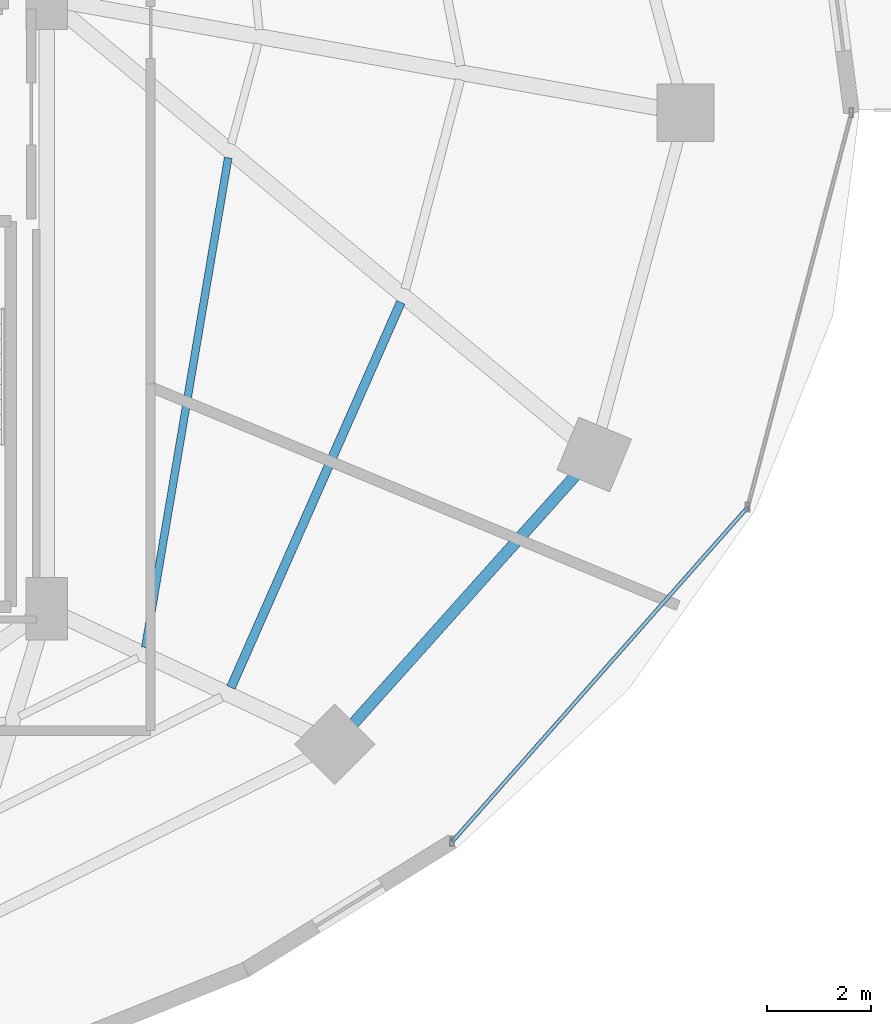
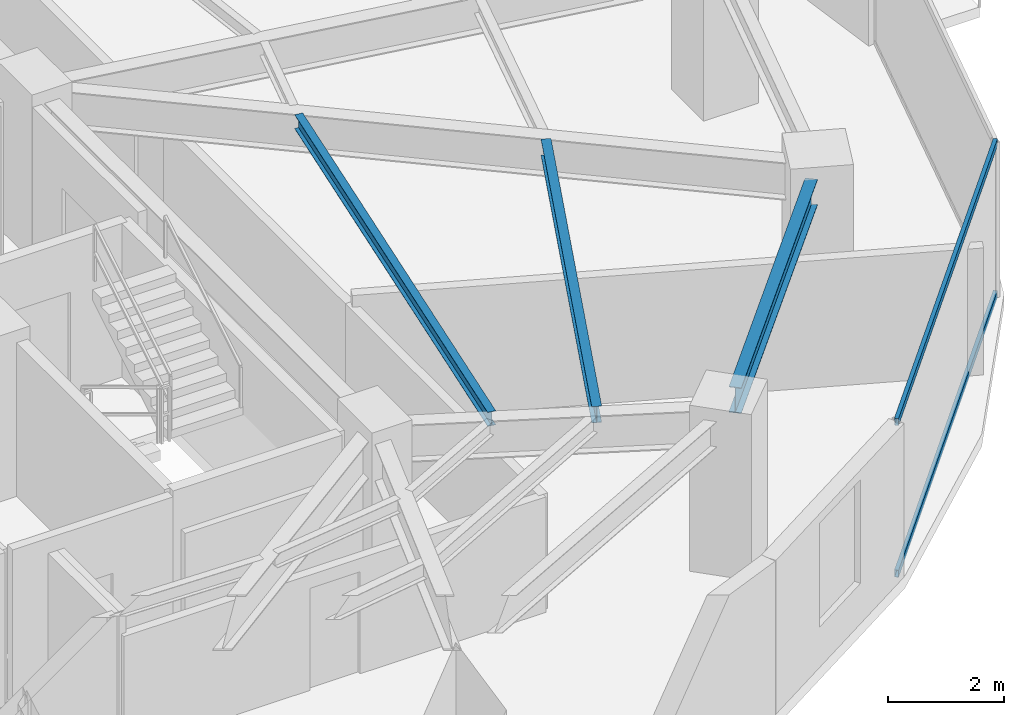
# One storey, part 13 of 29: 3 beams, 2 members, 1 element without a shape of its own.
"""IFC4 building model written with IfcOpenShell, lengths in metres."""

from ifc_helpers import new_model, si_unit, direction, frame, origin, origin_2d, place, context, subcontext, project, spatial, hollow_rectangle, i_section, extrude, material, material_profile, profile_set, type_object, element, aggregate, save


model = new_model("IFC4")

# Units and contexts
model_context = context("Model", 3, precision=1e-05, world=origin(), true_north=direction((0.0, 1.0)))
body_context = subcontext(model_context, "Body", "Model", "MODEL_VIEW")
ifc_project = project(units=[si_unit("LENGTHUNIT", "METRE"), si_unit("AREAUNIT", "SQUARE_METRE"), si_unit("VOLUMEUNIT", "CUBIC_METRE"), si_unit("PLANEANGLEUNIT", "RADIAN"), si_unit("MASSUNIT", "GRAM", prefix="KILO")], contexts=[model_context])

# Site, building, storey
site_placement = place(None, origin())
site = spatial("IfcSite", under=ifc_project, at=site_placement, CompositionType="ELEMENT")
building_placement = place(site_placement, origin())
building = spatial("IfcBuilding", under=site, at=building_placement, Name="Vorneva Point Tower", CompositionType="ELEMENT")
storey_placement = place(building_placement, frame((0.0, 0.0, 85.800048828125)))
storey = spatial("IfcBuildingStorey", under=building, at=storey_placement, Name="L22", CompositionType="ELEMENT", Elevation=85.800048828125)

# Beams
ifc_material_1 = material(Name="Steel S355", Category="steel")
ifc_material_profile_1 = material_profile(ifc_material_1, i_section(OverallWidth=0.14892578125, OverallDepth=0.298095703125, WebThickness=0.005615234375, FlangeThickness=0.008056640625, at=origin_2d()), Name="30B1")
ifc_profile_set_1 = profile_set([ifc_material_profile_1], Name="Steel S355")
beam_type_1 = type_object("IfcBeamType", Name="BM-JST-30B1", PredefinedType="JOIST", material=ifc_profile_set_1)
beam_1_placement = place(storey_placement, frame((50.649658203125, 15.70263671875, 3.091064453125), z_axis=(0.16685295919, 0.985981789897, 0.0), x_axis=(-0.985981789897, 0.16685295919, 0.0)))
element("IfcBeam", 1, at=beam_1_placement, inside=storey, type_object=beam_type_1, Name="L22 Secondary Floor Beam 2.15", PredefinedType="JOIST", context=body_context, shape_type="SweptSolid", body=[
    extrude(i_section(OverallWidth=0.14892578125, OverallDepth=0.298095703125, WebThickness=0.005615234375, FlangeThickness=0.008056640625, at=origin_2d()), origin(), (0.0, 0.0, 1.0), 9.56494140625),
])
ifc_material_profile_2 = material_profile(ifc_material_1, i_section(OverallWidth=0.174072265625, OverallDepth=0.345947265625, WebThickness=0.006103515625, FlangeThickness=0.009033203125, at=origin_2d()), Name="35B1")
ifc_profile_set_2 = profile_set([ifc_material_profile_2], Name="Steel S355")
beam_type_2 = type_object("IfcBeamType", Name="BM-SEC-35B1", PredefinedType="BEAM", material=ifc_profile_set_2)
beam_2_placement = place(storey_placement, frame((52.298583984375, 14.931884765625, 3.06689453125), z_axis=(0.403487441762, 0.91498518258, 0.0), x_axis=(-0.91498518258, 0.403487441762, 0.0)))
element("IfcBeam", 2, at=beam_2_placement, inside=storey, type_object=beam_type_2, Name="L22 Secondary Floor Beam 1.15", PredefinedType="BEAM", context=body_context, shape_type="SweptSolid", body=[
    extrude(i_section(OverallWidth=0.174072265625, OverallDepth=0.345947265625, WebThickness=0.006103515625, FlangeThickness=0.009033203125, at=origin_2d()), origin(), (0.0, 0.0, 1.0), 8.105712890625),
])
ifc_material_profile_3 = material_profile(ifc_material_1, i_section(OverallWidth=0.219970703125, OverallDepth=0.54296875, WebThickness=0.009521484375, FlangeThickness=0.013427734375, at=origin_2d()), Name="55B1")
ifc_profile_set_3 = profile_set([ifc_material_profile_3], Name="Steel S355")
beam_type_3 = type_object("IfcBeamType", Name="BM-SPN-55B1", PredefinedType="SPANDREL", material=ifc_profile_set_3)
beam_3_placement = place(storey_placement, frame((54.65576171875, 14.236328125, 2.968505859375), z_axis=(0.667073815664, 0.744991627105, 0.0), x_axis=(-0.744991627105, 0.667073815664, 0.0)))
element("IfcBeam", 3, at=beam_3_placement, inside=storey, type_object=beam_type_3, Name="L22 Perimeter Spandrel Ring Beam 15", PredefinedType="SPANDREL", context=body_context, shape_type="SweptSolid", body=[
    extrude(i_section(OverallWidth=0.219970703125, OverallDepth=0.54296875, WebThickness=0.009521484375, FlangeThickness=0.013427734375, at=origin_2d()), origin(), (0.0, 0.0, 1.0), 6.420166015625),
])

# Curtain wall, members
ifc_material_2 = material(Name="Pale anodised aluminium", Category="aluminium")
curtain_wall_type = type_object("IfcCurtainWallType", Name="CW-HTL-SYS", PredefinedType="NOTDEFINED", material=ifc_material_2)
curtain_wall_placement = place(storey_placement, origin())
curtain_wall = element("IfcCurtainWall", 4, at=curtain_wall_placement, inside=storey, type_object=curtain_wall_type, Name="L22 Unitised Curtain Wall CW-L22-R04", PredefinedType="NOTDEFINED")
ifc_material_profile_4 = material_profile(ifc_material_2, hollow_rectangle(XDim=0.074951171875, YDim=0.14990234375, WallThickness=0.00390625, at=origin_2d()), Name="AL-TRN 150x75x4")
ifc_profile_set_4 = profile_set([ifc_material_profile_4], Name="Pale anodised aluminium")
member_type = type_object("IfcMemberType", Name="CW-TRN-150", PredefinedType="USERDEFINED", material=ifc_profile_set_4)
member_1_placement = place(storey_placement, frame((56.5615234375, 11.9638671875, 0.02001953125), z_axis=(0.662137326257, 0.74938251993, 0.0), x_axis=(-0.74938251993, 0.662137326257, 0.0)))
member_1 = element("IfcMember", 5, at=member_1_placement, type_object=member_type, Name="CW-L22-R04 Transom 01.1", ObjectType="TRANSOM", PredefinedType="USERDEFINED", context=body_context, shape_type="SweptSolid", body=[
    extrude(hollow_rectangle(XDim=0.074951171875, YDim=0.14990234375, WallThickness=0.00390625, at=origin_2d()), origin(), (0.0, 0.0, 1.0), 8.59375),
])
member_2_placement = place(storey_placement, frame((56.5615234375, 11.9638671875, 3.219970703125), z_axis=(0.662137326257, 0.74938251993, 0.0), x_axis=(-0.74938251993, 0.662137326257, 0.0)))
member_2 = element("IfcMember", 6, at=member_2_placement, type_object=member_type, Name="CW-L22-R04 Transom 01.2", ObjectType="TRANSOM", PredefinedType="USERDEFINED", context=body_context, shape_type="SweptSolid", body=[
    extrude(hollow_rectangle(XDim=0.074951171875, YDim=0.14990234375, WallThickness=0.00390625, at=origin_2d()), origin(), (0.0, 0.0, 1.0), 8.59375),
])
aggregate(curtain_wall, [member_1, member_2])

save(model, "model.ifc")
